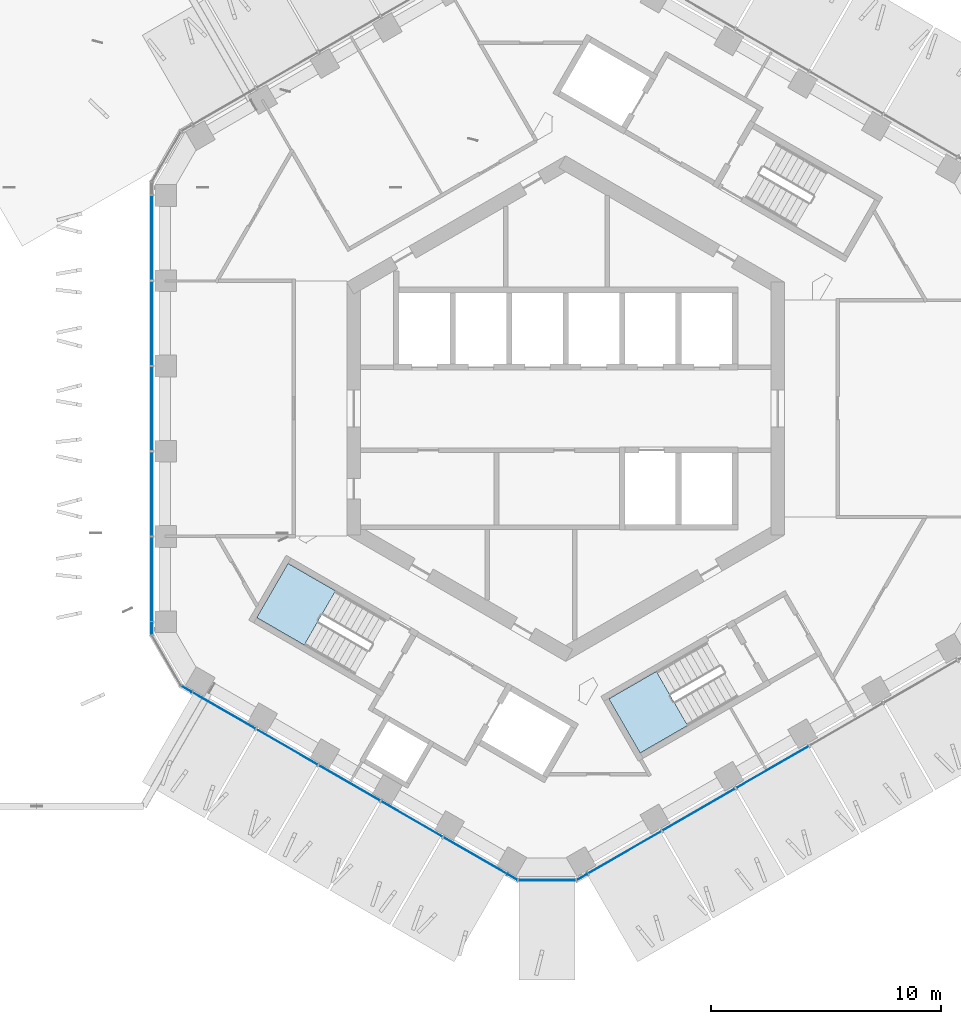
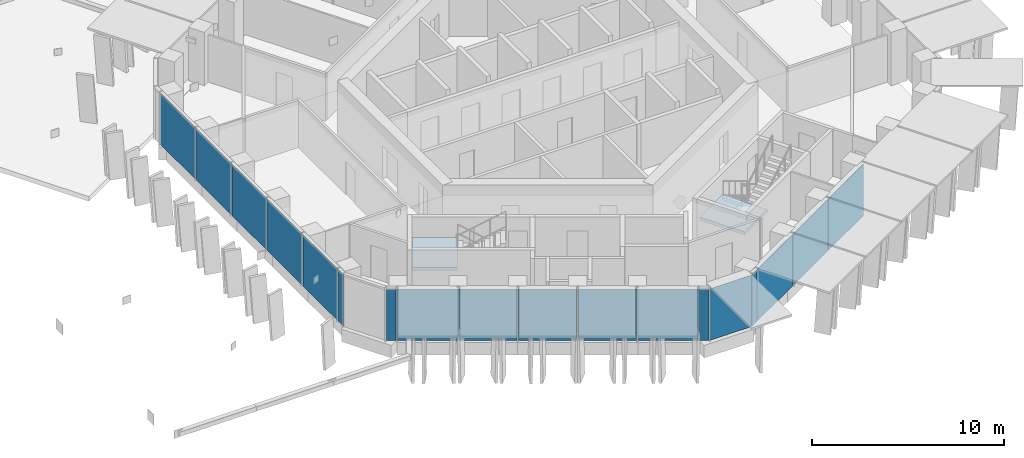
# One storey, part 7 of 23: 18 plates, 2 slabs, 7 elements without a shape of their own.
"""IFC4 building model written with IfcOpenShell, lengths in metres."""

from ifc_helpers import new_model, si_unit, direction, frame, origin, origin_2d, place, context, subcontext, project, spatial, polyline, rectangle, outline, extrude, material, layer, layer_set, type_object, element, aggregate, save


model = new_model("IFC4")

# Units and contexts
model_context = context("Model", 3, precision=1e-05, world=origin(), true_north=direction((0.0, 1.0)))
body_context = subcontext(model_context, "Body", "Model", "MODEL_VIEW")
ifc_project = project(units=[si_unit("LENGTHUNIT", "METRE"), si_unit("AREAUNIT", "SQUARE_METRE"), si_unit("VOLUMEUNIT", "CUBIC_METRE"), si_unit("PLANEANGLEUNIT", "RADIAN"), si_unit("MASSUNIT", "GRAM", prefix="KILO")], contexts=[model_context])

# Site, building, storey
site_placement = place(None, origin())
site = spatial("IfcSite", under=ifc_project, at=site_placement, CompositionType="ELEMENT")
building_placement = place(site_placement, origin())
building = spatial("IfcBuilding", under=site, at=building_placement, Name="Ayvan Gate Tower", CompositionType="ELEMENT")
storey_placement = place(building_placement, frame((0.0, 0.0, 198.699951171875)))
storey = spatial("IfcBuildingStorey", under=building, at=storey_placement, Name="L53", CompositionType="ELEMENT", Elevation=198.699951171875)

# Stair, slab
ifc_material_1 = material(Name="Concrete C40/50", Category="concrete")
stair_type = type_object("IfcStairType", Name="ST-EXIT", PredefinedType="HALF_TURN_STAIR", material=ifc_material_1)
stair_1_placement = place(storey_placement, origin())
stair_1 = element("IfcStair", 1, at=stair_1_placement, inside=storey, type_object=stair_type, Name="L53 Exit Stair S2", PredefinedType="HALF_TURN_STAIR")
ifc_layer_1 = layer(ifc_material_1, 0.199951171875)
ifc_layer_set_1 = layer_set([ifc_layer_1], Name="Concrete C40/50")
slab_type = type_object("IfcSlabType", Name="SL-LANDING-200", PredefinedType="LANDING", material=ifc_layer_set_1)
slab_1_placement = place(storey_placement, frame((0.0, 0.0, 1.5)))
slab_1 = element("IfcSlab", 2, at=slab_1_placement, type_object=slab_type, Name="STS2 landing 1", PredefinedType="LANDING", context=body_context, shape_type="SweptSolid", body=[
    extrude(outline(polyline([(-9.988525390625, -7.91064453125), (-12.049560546875, -6.720458984375), (-13.404541015625, -9.0673828125), (-11.343505859375, -10.257568359375), (-9.988525390625, -7.91064453125)])), origin(), (0.0, 0.0, 1.0), 0.199951171875),
])
aggregate(stair_1, [slab_1])

stair_2_placement = place(storey_placement, origin())
stair_2 = element("IfcStair", 3, at=stair_2_placement, inside=storey, type_object=stair_type, Name="L53 Exit Stair S3", PredefinedType="HALF_TURN_STAIR")
slab_2_placement = place(storey_placement, frame((0.0, 0.0, 1.5)))
slab_2 = element("IfcSlab", 4, at=slab_2_placement, type_object=slab_type, Name="STS3 landing 1", PredefinedType="LANDING", context=body_context, shape_type="SweptSolid", body=[
    extrude(outline(polyline([(3.93505859375, -11.405517578125), (1.873779296875, -12.595458984375), (3.228759765625, -14.9423828125), (5.2900390625, -13.75244140625), (3.93505859375, -11.405517578125)])), origin(), (0.0, 0.0, 1.0), 0.199951171875),
])
aggregate(stair_2, [slab_2])

# Curtain wall, plates
ifc_material_2 = material(Name="Bronze anodised aluminium", Category="aluminium")
ifc_layer_2 = layer(ifc_material_2, 0.199951171875)
ifc_layer_set_2 = layer_set([ifc_layer_2], Name="Bronze anodised aluminium")
curtain_wall_type_1 = type_object("IfcCurtainWallType", Name="Stick curtain wall CW-2", PredefinedType="NOTDEFINED", material=ifc_layer_set_2)
curtain_wall_1_placement = place(storey_placement, origin())
curtain_wall_1 = element("IfcCurtainWall", 5, at=curtain_wall_1_placement, inside=storey, type_object=curtain_wall_type_1, Name="Stick curtain wall CW-2 L53", PredefinedType="NOTDEFINED")
ifc_material_3 = material(Name="Clear low-iron laminated glass", Category="glass")
ifc_layer_3 = layer(ifc_material_3, 0.028076171875)
ifc_layer_set_3 = layer_set([ifc_layer_3], Name="Clear low-iron laminated glass")
plate_type_1 = type_object("IfcPlateType", Name="Stick curtain wall CW-2 glass panel", PredefinedType="CURTAIN_PANEL", material=ifc_layer_set_3)
plate_1_placement = place(storey_placement, frame((-17.95849609375, 7.42822265625, 0.0), z_axis=(0.0, 0.0, 1.0), x_axis=(0.0, -1.0, 0.0)))
plate_1 = element("IfcPlate", 6, at=plate_1_placement, type_object=plate_type_1, Name="CW-2 glass panel 1", PredefinedType="CURTAIN_PANEL", context=body_context, shape_type="SweptSolid", body=[
    extrude(rectangle(XDim=3.68798828125, YDim=0.028076171875, at=origin_2d()), origin(), (0.0, 0.0, 1.0), 3.280029296875),
])
plate_2_placement = place(storey_placement, frame((-17.95849609375, 3.69970703125, 0.0), z_axis=(0.0, 0.0, 1.0), x_axis=(0.0, -1.0, 0.0)))
plate_2 = element("IfcPlate", 7, at=plate_2_placement, type_object=plate_type_1, Name="CW-2 glass panel 2", PredefinedType="CURTAIN_PANEL", context=body_context, shape_type="SweptSolid", body=[
    extrude(rectangle(XDim=3.62890625, YDim=0.028076171875, at=origin_2d()), origin(), (0.0, 0.0, 1.0), 3.280029296875),
])
plate_3_placement = place(storey_placement, frame((-17.95849609375, 0.000244140625, 0.0), z_axis=(0.0, 0.0, 1.0), x_axis=(0.0, -1.0, 0.0)))
plate_3 = element("IfcPlate", 8, at=plate_3_placement, type_object=plate_type_1, Name="CW-2 glass panel 3", PredefinedType="CURTAIN_PANEL", context=body_context, shape_type="SweptSolid", body=[
    extrude(rectangle(XDim=3.6298828125, YDim=0.028076171875, at=origin_2d()), origin(), (0.0, 0.0, 1.0), 3.280029296875),
])
plate_4_placement = place(storey_placement, frame((-17.95849609375, -3.69921875, 0.0), z_axis=(0.0, 0.0, 1.0), x_axis=(0.0, -1.0, 0.0)))
plate_4 = element("IfcPlate", 9, at=plate_4_placement, type_object=plate_type_1, Name="CW-2 glass panel 4", PredefinedType="CURTAIN_PANEL", context=body_context, shape_type="SweptSolid", body=[
    extrude(rectangle(XDim=3.62890625, YDim=0.028076171875, at=origin_2d()), origin(), (0.0, 0.0, 1.0), 3.280029296875),
])
plate_5_placement = place(storey_placement, frame((-17.95849609375, -7.427978515625, 0.0), z_axis=(0.0, 0.0, 1.0), x_axis=(0.0, -1.0, 0.0)))
plate_5 = element("IfcPlate", 10, at=plate_5_placement, type_object=plate_type_1, Name="CW-2 glass panel 5", PredefinedType="CURTAIN_PANEL", context=body_context, shape_type="SweptSolid", body=[
    extrude(rectangle(XDim=3.6884765625, YDim=0.028076171875, at=origin_2d()), origin(), (0.0, 0.0, 1.0), 3.280029296875),
])
aggregate(curtain_wall_1, [plate_1, plate_2, plate_3, plate_4, plate_5])

curtain_wall_2_placement = place(storey_placement, origin())
curtain_wall_2 = element("IfcCurtainWall", 11, at=curtain_wall_2_placement, inside=storey, type_object=curtain_wall_type_1, Name="Stick curtain wall CW-2 L53", PredefinedType="NOTDEFINED")
plate_6_placement = place(storey_placement, frame((-12.0849609375, -14.686767578125, 0.0), z_axis=(0.0, 0.0, 1.0), x_axis=(0.866025403784, -0.5, 0.0)))
plate_6 = element("IfcPlate", 12, at=plate_6_placement, type_object=plate_type_1, Name="CW-2 glass panel 2", PredefinedType="CURTAIN_PANEL", context=body_context, shape_type="SweptSolid", body=[
    extrude(rectangle(XDim=3.052001953125, YDim=0.028076171875, at=origin_2d()), origin(), (0.0, 0.0, 1.0), 3.280029296875),
])
plate_7_placement = place(storey_placement, frame((-9.380859375, -16.248046875, 0.0), z_axis=(0.0, 0.0, 1.0), x_axis=(0.866025403784, -0.5, 0.0)))
plate_7 = element("IfcPlate", 13, at=plate_7_placement, type_object=plate_type_1, Name="CW-2 glass panel 3", PredefinedType="CURTAIN_PANEL", context=body_context, shape_type="SweptSolid", body=[
    extrude(rectangle(XDim=3.052978515625, YDim=0.028076171875, at=origin_2d()), origin(), (0.0, 0.0, 1.0), 3.280029296875),
])
plate_8_placement = place(storey_placement, frame((-6.676513671875, -17.809326171875, 0.0), z_axis=(0.0, 0.0, 1.0), x_axis=(0.866025403784, -0.5, 0.0)))
plate_8 = element("IfcPlate", 14, at=plate_8_placement, type_object=plate_type_1, Name="CW-2 glass panel 4", PredefinedType="CURTAIN_PANEL", context=body_context, shape_type="SweptSolid", body=[
    extrude(rectangle(XDim=3.052001953125, YDim=0.028076171875, at=origin_2d()), origin(), (0.0, 0.0, 1.0), 3.280029296875),
])
plate_9_placement = place(storey_placement, frame((-3.9248046875, -19.39794921875, 0.0), z_axis=(0.0, 0.0, 1.0), x_axis=(0.866025403784, -0.5, 0.0)))
plate_9 = element("IfcPlate", 15, at=plate_9_placement, type_object=plate_type_1, Name="CW-2 glass panel 5", PredefinedType="CURTAIN_PANEL", context=body_context, shape_type="SweptSolid", body=[
    extrude(rectangle(XDim=3.1630859375, YDim=0.028076171875, at=origin_2d()), origin(), (0.0, 0.0, 1.0), 3.280029296875),
])

curtain_wall_3_placement = place(storey_placement, origin())
curtain_wall_3 = element("IfcCurtainWall", 16, at=curtain_wall_3_placement, inside=storey, type_object=curtain_wall_type_1, Name="Stick curtain wall CW-2 L53", PredefinedType="NOTDEFINED")
plate_10_placement = place(storey_placement, frame((2.54638671875, -19.2666015625, 0.0), z_axis=(0.0, 0.0, 1.0), x_axis=(0.866025403784, 0.5, 0.0)))
plate_10 = element("IfcPlate", 17, at=plate_10_placement, type_object=plate_type_1, Name="CW-2 glass panel 1", PredefinedType="CURTAIN_PANEL", context=body_context, shape_type="SweptSolid", body=[
    extrude(rectangle(XDim=3.68798828125, YDim=0.028076171875, at=origin_2d()), origin(), (0.0, 0.0, 1.0), 3.280029296875),
])
plate_11_placement = place(storey_placement, frame((5.775146484375, -17.40234375, 0.0), z_axis=(0.0, 0.0, 1.0), x_axis=(0.866025403784, 0.5, 0.0)))
plate_11 = element("IfcPlate", 18, at=plate_11_placement, type_object=plate_type_1, Name="CW-2 glass panel 2", PredefinedType="CURTAIN_PANEL", context=body_context, shape_type="SweptSolid", body=[
    extrude(rectangle(XDim=3.62890625, YDim=0.028076171875, at=origin_2d()), origin(), (0.0, 0.0, 1.0), 3.280029296875),
])
plate_12_placement = place(storey_placement, frame((8.97900390625, -15.552734375, 0.0), z_axis=(0.0, 0.0, 1.0), x_axis=(0.866025403784, 0.5, 0.0)))
plate_12 = element("IfcPlate", 19, at=plate_12_placement, type_object=plate_type_1, Name="CW-2 glass panel 3", PredefinedType="CURTAIN_PANEL", context=body_context, shape_type="SweptSolid", body=[
    extrude(rectangle(XDim=3.6298828125, YDim=0.028076171875, at=origin_2d()), origin(), (0.0, 0.0, 1.0), 3.280029296875),
])
aggregate(curtain_wall_3, [plate_10, plate_11, plate_12])

# Plate
ifc_material_4 = material(Name="Pale anodised aluminium composite panel", Category="aluminium")
ifc_layer_4 = layer(ifc_material_4, 0.028076171875)
ifc_layer_set_4 = layer_set([ifc_layer_4], Name="Pale anodised aluminium composite panel")
plate_type_2 = type_object("IfcPlateType", Name="Stick curtain wall CW-2 solid panel", PredefinedType="CURTAIN_PANEL", material=ifc_layer_set_4)
plate_13_placement = place(storey_placement, frame((-14.836669921875, -13.097900390625, 0.0), z_axis=(0.0, 0.0, 1.0), x_axis=(0.866025403784, -0.5, 0.0)))
plate_13 = element("IfcPlate", 20, at=plate_13_placement, type_object=plate_type_2, Name="CW-2 solid panel 1", PredefinedType="CURTAIN_PANEL", context=body_context, shape_type="SweptSolid", body=[
    extrude(rectangle(XDim=3.1630859375, YDim=0.028076171875, at=origin_2d()), origin(), (0.0, 0.0, 1.0), 3.280029296875),
])

aggregate(curtain_wall_2, [plate_13, plate_6, plate_7, plate_8, plate_9])

# Curtain wall, plates
ifc_layer_5 = layer(ifc_material_2, 0.199951171875)
ifc_layer_set_5 = layer_set([ifc_layer_5], Name="Bronze anodised aluminium")
curtain_wall_type_2 = type_object("IfcCurtainWallType", Name="Stick curtain wall CW-6", PredefinedType="NOTDEFINED", material=ifc_layer_set_5)
curtain_wall_4_placement = place(storey_placement, origin())
curtain_wall_4 = element("IfcCurtainWall", 21, at=curtain_wall_4_placement, inside=storey, type_object=curtain_wall_type_2, Name="Stick curtain wall CW-6 L53", PredefinedType="NOTDEFINED")
ifc_layer_6 = layer(ifc_material_3, 0.028076171875)
ifc_layer_set_6 = layer_set([ifc_layer_6], Name="Clear low-iron laminated glass")
plate_type_3 = type_object("IfcPlateType", Name="Stick curtain wall CW-6 glass panel", PredefinedType="CURTAIN_PANEL", material=ifc_layer_set_6)
plate_14_placement = place(storey_placement, frame((-17.95849609375, -9.55712890625, 0.0), z_axis=(0.0, 0.0, 1.0), x_axis=(0.0, -1.0, 0.0)))
plate_14 = element("IfcPlate", 22, at=plate_14_placement, type_object=plate_type_3, Name="CW-6 glass panel 1", PredefinedType="CURTAIN_PANEL", context=body_context, shape_type="SweptSolid", body=[
    extrude(rectangle(XDim=0.5, YDim=0.028076171875, at=origin_2d()), origin(), (0.0, 0.0, 1.0), 3.280029296875),
])
plate_15_placement = place(storey_placement, frame((-16.453125, -12.164794921875, 0.0), z_axis=(0.0, 0.0, 1.0), x_axis=(0.866025403784, -0.5, 0.0)))
plate_15 = element("IfcPlate", 23, at=plate_15_placement, type_object=plate_type_3, Name="CW-6 glass panel 3", PredefinedType="CURTAIN_PANEL", context=body_context, shape_type="SweptSolid", body=[
    extrude(rectangle(XDim=0.5, YDim=0.028076171875, at=origin_2d()), origin(), (0.0, 0.0, 1.0), 3.280029296875),
])
aggregate(curtain_wall_4, [plate_14, plate_15])

curtain_wall_5_placement = place(storey_placement, origin())
curtain_wall_5 = element("IfcCurtainWall", 24, at=curtain_wall_5_placement, inside=storey, type_object=curtain_wall_type_2, Name="Stick curtain wall CW-6 L53", PredefinedType="NOTDEFINED")
plate_16_placement = place(storey_placement, frame((-2.308349609375, -20.331298828125, 0.0), z_axis=(0.0, 0.0, 1.0), x_axis=(0.866025403784, -0.5, 0.0)))
plate_16 = element("IfcPlate", 25, at=plate_16_placement, type_object=plate_type_3, Name="CW-6 glass panel 1", PredefinedType="CURTAIN_PANEL", context=body_context, shape_type="SweptSolid", body=[
    extrude(rectangle(XDim=0.5, YDim=0.028076171875, at=origin_2d()), origin(), (0.0, 0.0, 1.0), 3.280029296875),
])
plate_17_placement = place(storey_placement, frame((-0.802978515625, -20.46875, 0.0), z_axis=(0.0, 0.0, 1.0), x_axis=(1.0, 0.0, 0.0)))
plate_17 = element("IfcPlate", 26, at=plate_17_placement, type_object=plate_type_3, Name="CW-6 glass panel 2", PredefinedType="CURTAIN_PANEL", context=body_context, shape_type="SweptSolid", body=[
    extrude(rectangle(XDim=2.484619140625, YDim=0.028076171875, at=origin_2d()), origin(), (0.0, 0.0, 1.0), 3.280029296875),
])
plate_18_placement = place(storey_placement, frame((0.702392578125, -20.331298828125, 0.0), z_axis=(0.0, 0.0, 1.0), x_axis=(0.866025403784, 0.5, 0.0)))
plate_18 = element("IfcPlate", 27, at=plate_18_placement, type_object=plate_type_3, Name="CW-6 glass panel 3", PredefinedType="CURTAIN_PANEL", context=body_context, shape_type="SweptSolid", body=[
    extrude(rectangle(XDim=0.5, YDim=0.028076171875, at=origin_2d()), origin(), (0.0, 0.0, 1.0), 3.280029296875),
])
aggregate(curtain_wall_5, [plate_16, plate_17, plate_18])

save(model, "model.ifc")
